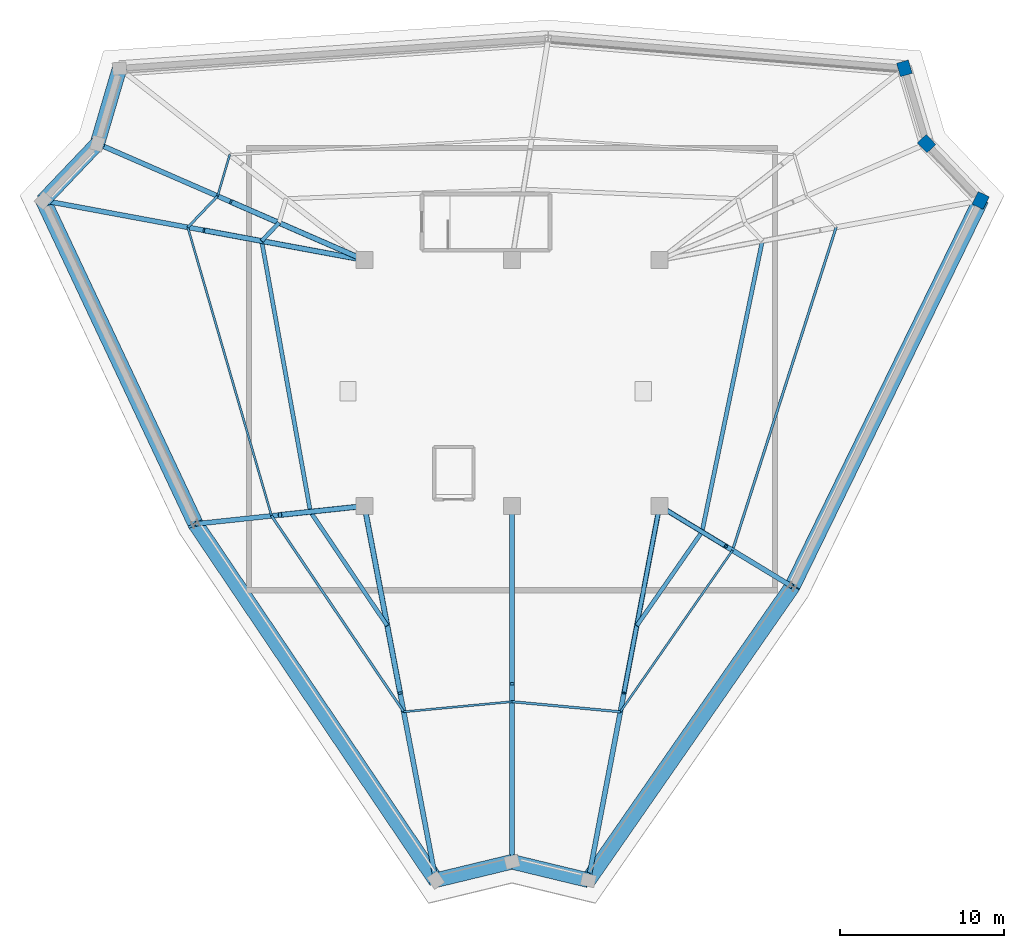
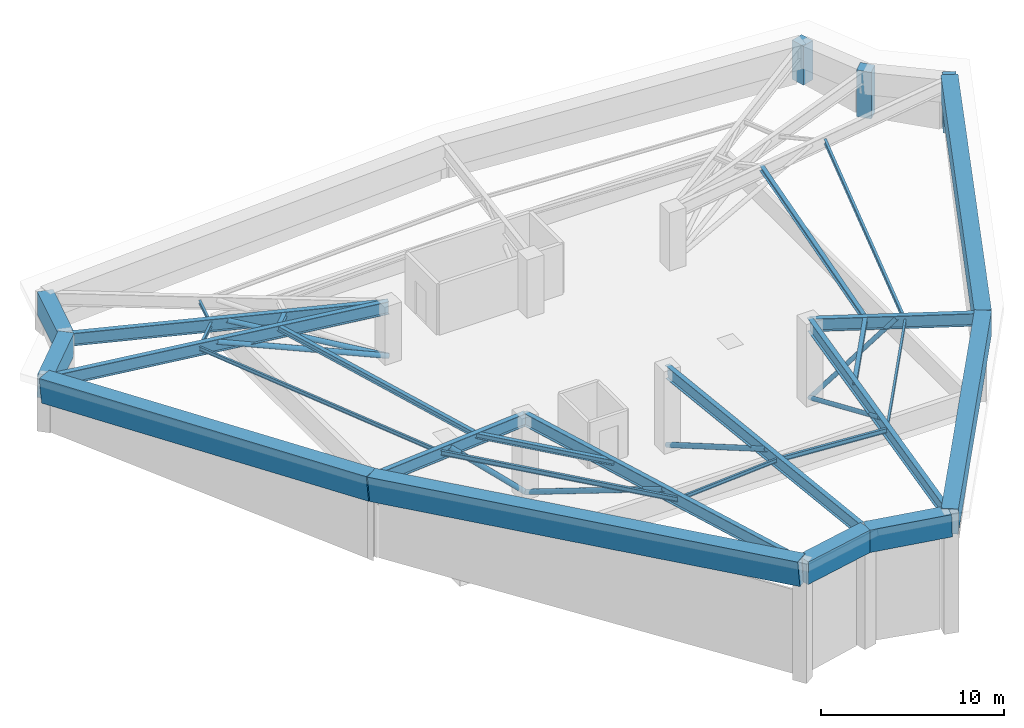
# One storey, part 3 of 6: 23 beams, 12 members, 3 columns.
"""IFC4 building model written with IfcOpenShell, lengths in metres."""

from ifc_helpers import new_model, si_unit, direction, frame, origin, origin_2d, place, context, subcontext, project, spatial, rectangle, hollow_circle, i_section, extrude, source, transform, mapped, material, material_profile, profile_set, type_object, element, save


model = new_model("IFC4")

# Units and contexts
model_context = context("Model", 3, precision=1e-05, world=origin(), true_north=direction((0.0, 1.0)))
body_context = subcontext(model_context, "Body", "Model", "MODEL_VIEW")
ifc_project = project(units=[si_unit("LENGTHUNIT", "METRE"), si_unit("AREAUNIT", "SQUARE_METRE"), si_unit("VOLUMEUNIT", "CUBIC_METRE"), si_unit("PLANEANGLEUNIT", "RADIAN"), si_unit("MASSUNIT", "GRAM", prefix="KILO")], contexts=[model_context])

# Site, building, storey
site_placement = place(None, origin())
site = spatial("IfcSite", under=ifc_project, at=site_placement, CompositionType="ELEMENT")
building_placement = place(site_placement, origin())
building = spatial("IfcBuilding", under=site, at=building_placement, Name="Liaohun Quay Tower", CompositionType="ELEMENT")
storey_placement = place(building_placement, frame((0.0, 0.0, 371.39990234375)))
storey = spatial("IfcBuildingStorey", under=building, at=storey_placement, Name="L95", CompositionType="ELEMENT", Elevation=371.39990234375)

# Columns
ifc_material_1 = material(Name="Concrete C50", Category="concrete")
ifc_material_profile_1 = material_profile(ifc_material_1, rectangle(XDim=0.85009765625, YDim=0.75, at=origin_2d()), Name="RC850x750")
ifc_profile_set_1 = profile_set([ifc_material_profile_1], Name="Concrete C50")
column_type = type_object("IfcColumnType", Name="COL-PIER-CR", PredefinedType="COLUMN", material=ifc_profile_set_1)
shared_shape_1 = source(origin(), body_context, "Body", "SweptSolid", [
    extrude(rectangle(XDim=0.85009765625, YDim=0.75, at=origin_2d()), origin(), (0.0, 0.0, 1.0), 3.11669921875),
])
column_1_placement = place(storey_placement, frame((85.2880859375, 68.60009765625, 0.0), z_axis=(0.0, 0.0, 1.0), x_axis=(-0.68936671806, 0.724412539946, 0.0)))
element("IfcColumn", 1, at=column_1_placement, inside=storey, type_object=column_type, Name="L95 Perimeter Pier PC08", PredefinedType="COLUMN", context=body_context, shape_type="MappedRepresentation", body=[
    mapped(shared_shape_1, transform((0.0, 0.0, 0.0), x_axis=(1.0, 0.0, 0.0), y_axis=(0.0, 1.0, 0.0), z_axis=(0.0, 0.0, 1.0), scale=1.0)),
])
shared_shape_2 = source(origin(), body_context, "Body", "SweptSolid", [
    extrude(rectangle(XDim=0.85009765625, YDim=0.75, at=origin_2d()), origin(), (0.0, 0.0, 1.0), 2.617431640625),
])
column_2_placement = place(storey_placement, frame((83.93408203125, 73.194091796875, 0.0), z_axis=(0.0, 0.0, 1.0), x_axis=(-0.282676303383, 0.959215360337, 0.0)))
element("IfcColumn", 2, at=column_2_placement, inside=storey, type_object=column_type, Name="L95 Perimeter Pier PC07", PredefinedType="COLUMN", context=body_context, shape_type="MappedRepresentation", body=[
    mapped(shared_shape_2, transform((0.0, 0.0, 0.0), x_axis=(1.0, 0.0, 0.0), y_axis=(0.0, 1.0, 0.0), z_axis=(0.0, 0.0, 1.0), scale=1.0)),
])
shared_shape_3 = source(origin(), body_context, "Body", "SweptSolid", [
    extrude(rectangle(XDim=0.85009765625, YDim=0.75, at=origin_2d()), origin(), (0.0, 0.0, 1.0), 3.49267578125),
])
column_3_placement = place(storey_placement, frame((88.5830078125, 65.136962890625, 0.0), z_axis=(0.0, 0.0, 1.0), x_axis=(0.438371146789, 0.898794046299, 0.0)))
element("IfcColumn", 3, at=column_3_placement, inside=storey, type_object=column_type, Name="L95 Perimeter Pier PC09", PredefinedType="COLUMN", context=body_context, shape_type="MappedRepresentation", body=[
    mapped(shared_shape_3, transform((0.0, 0.0, 0.0), x_axis=(1.0, 0.0, 0.0), y_axis=(0.0, 1.0, 0.0), z_axis=(0.0, 0.0, 1.0), scale=1.0)),
])

# Beams
ifc_material_2 = material(Name="Concrete C55", Category="concrete")
ifc_material_profile_2 = material_profile(ifc_material_2, rectangle(XDim=0.949951171875, YDim=1.60009765625, at=origin_2d()), Name="RC950x1600")
ifc_profile_set_2 = profile_set([ifc_material_profile_2], Name="Concrete C55")
beam_type_1 = type_object("IfcBeamType", Name="BM-CAN-LNG", PredefinedType="SPANDREL", material=ifc_profile_set_2)
shared_shape_4 = source(origin(), body_context, "Body", "SweptSolid", [
    extrude(rectangle(XDim=0.949951171875, YDim=1.60009765625, at=origin_2d()), origin(), (0.0, 0.0, 1.0), 26.3134765625),
])
beam_1_placement = place(storey_placement, frame((55.35400390625, 23.677978515625, 7.24609375), z_axis=(-0.556937779688, 0.825697115724, -0.089691597385), x_axis=(-0.829038483568, -0.559191552836, 0.0)))
element("IfcBeam", 4, at=beam_1_placement, inside=storey, type_object=beam_type_1, Name="L95 Sloped Canopy Ring Beam PC01-PC02", PredefinedType="SPANDREL", context=body_context, shape_type="MappedRepresentation", body=[
    mapped(shared_shape_4, transform((0.0, 0.0, 0.0), x_axis=(1.0, 0.0, 0.0), y_axis=(0.0, 1.0, 0.0), z_axis=(0.0, 0.0, 1.0), scale=1.0)),
])
shared_shape_5 = source(origin(), body_context, "Body", "SweptSolid", [
    extrude(rectangle(XDim=0.949951171875, YDim=1.60009765625, at=origin_2d()), origin(), (0.0, 0.0, 1.0), 21.908447265625),
])
beam_2_placement = place(storey_placement, frame((40.698974609375, 45.405029296875, 4.885986328125), z_axis=(-0.423950795315, 0.900388401846, -0.097808225488), x_axis=(-0.904726310414, -0.425993313614, 0.0)))
element("IfcBeam", 5, at=beam_2_placement, inside=storey, type_object=beam_type_1, Name="L95 Sloped Canopy Ring Beam PC02-PC03", PredefinedType="SPANDREL", context=body_context, shape_type="MappedRepresentation", body=[
    mapped(shared_shape_5, transform((0.0, 0.0, 0.0), x_axis=(1.0, 0.0, 0.0), y_axis=(0.0, 1.0, 0.0), z_axis=(0.0, 0.0, 1.0), scale=1.0)),
])
ifc_material_profile_3 = material_profile(ifc_material_2, rectangle(XDim=0.89990234375, YDim=1.5, at=origin_2d()), Name="RC900x1500")
ifc_profile_set_3 = profile_set([ifc_material_profile_3], Name="Concrete C55")
beam_type_2 = type_object("IfcBeamType", Name="BM-CAN-RING", PredefinedType="BEAM", material=ifc_profile_set_3)
shared_shape_6 = source(origin(), body_context, "Body", "SweptSolid", [
    extrude(rectangle(XDim=0.89990234375, YDim=1.5, at=origin_2d()), origin(), (0.0, 0.0, 1.0), 4.80322265625),
])
beam_3_placement = place(storey_placement, frame((31.410888671875, 65.131103515625, 2.7431640625), z_axis=(0.687235835807, 0.722205013755, -0.078274032035), x_axis=(-0.724427643771, 0.689350846043, 0.0)))
element("IfcBeam", 6, at=beam_3_placement, inside=storey, type_object=beam_type_2, Name="L95 Sloped Canopy Ring Beam PC03-PC04", PredefinedType="BEAM", context=body_context, shape_type="MappedRepresentation", body=[
    mapped(shared_shape_6, transform((0.0, 0.0, 0.0), x_axis=(1.0, 0.0, 0.0), y_axis=(0.0, 1.0, 0.0), z_axis=(0.0, 0.0, 1.0), scale=1.0)),
])
shared_shape_7 = source(origin(), body_context, "Body", "SweptSolid", [
    extrude(rectangle(XDim=0.89990234375, YDim=1.5, at=origin_2d()), origin(), (0.0, 0.0, 1.0), 4.805908203125),
])
beam_4_placement = place(storey_placement, frame((34.7119140625, 68.60009765625, 2.3671875), z_axis=(0.281130567414, 0.954035427545, -0.103836443765), x_axis=(-0.959220603733, 0.282658510174, 0.0)))
element("IfcBeam", 7, at=beam_4_placement, inside=storey, type_object=beam_type_2, Name="L95 Sloped Canopy Ring Beam PC04-PC05", PredefinedType="BEAM", context=body_context, shape_type="MappedRepresentation", body=[
    mapped(shared_shape_7, transform((0.0, 0.0, 0.0), x_axis=(1.0, 0.0, 0.0), y_axis=(0.0, 1.0, 0.0), z_axis=(0.0, 0.0, 1.0), scale=1.0)),
])
shared_shape_8 = source(origin(), body_context, "Body", "SweptSolid", [
    extrude(rectangle(XDim=0.949951171875, YDim=1.60009765625, at=origin_2d()), origin(), (0.0, 0.0, 1.0), 26.331787109375),
])
beam_5_placement = place(storey_placement, frame((88.5830078125, 65.136962890625, 2.7431640625), z_axis=(-0.436281940186, -0.89454718672, 0.097177154715), x_axis=(0.898801122435, -0.438356638262, 0.0)))
element("IfcBeam", 8, at=beam_5_placement, inside=storey, type_object=beam_type_1, Name="L95 Sloped Canopy Ring Beam PC09-PC10", PredefinedType="SPANDREL", context=body_context, shape_type="MappedRepresentation", body=[
    mapped(shared_shape_8, transform((0.0, 0.0, 0.0), x_axis=(1.0, 0.0, 0.0), y_axis=(0.0, 1.0, 0.0), z_axis=(0.0, 0.0, 1.0), scale=1.0)),
])
shared_shape_9 = source(origin(), body_context, "Body", "SweptSolid", [
    extrude(rectangle(XDim=0.949951171875, YDim=1.60009765625, at=origin_2d()), origin(), (0.0, 0.0, 1.0), 21.8896484375),
])
beam_6_placement = place(storey_placement, frame((77.094970703125, 41.58203125, 5.302001953125), z_axis=(-0.568300240197, -0.818009273399, 0.088857558065), x_axis=(0.821257887435, -0.570557168324, 0.0)))
element("IfcBeam", 9, at=beam_6_placement, inside=storey, type_object=beam_type_1, Name="L95 Sloped Canopy Ring Beam PC10-PC11", PredefinedType="SPANDREL", context=body_context, shape_type="MappedRepresentation", body=[
    mapped(shared_shape_9, transform((0.0, 0.0, 0.0), x_axis=(1.0, 0.0, 0.0), y_axis=(0.0, 1.0, 0.0), z_axis=(0.0, 0.0, 1.0), scale=1.0)),
])
shared_shape_10 = source(origin(), body_context, "Body", "SweptSolid", [
    extrude(rectangle(XDim=0.89990234375, YDim=1.5, at=origin_2d()), origin(), (0.0, 0.0, 1.0), 4.7900390625),
])
beam_7_placement = place(storey_placement, frame((64.655029296875, 23.676025390625, 7.2470703125), z_axis=(-0.971794166855, 0.234449738686, -0.025483667249), x_axis=(-0.234525903643, -0.972109870601, 0.0)))
element("IfcBeam", 10, at=beam_7_placement, inside=storey, type_object=beam_type_2, Name="L95 Sloped Canopy Ring Beam PC11-PC12", PredefinedType="BEAM", context=body_context, shape_type="MappedRepresentation", body=[
    mapped(shared_shape_10, transform((0.0, 0.0, 0.0), x_axis=(1.0, 0.0, 0.0), y_axis=(0.0, 1.0, 0.0), z_axis=(0.0, 0.0, 1.0), scale=1.0)),
])
shared_shape_11 = source(origin(), body_context, "Body", "SweptSolid", [
    extrude(rectangle(XDim=0.89990234375, YDim=1.5, at=origin_2d()), origin(), (0.0, 0.0, 1.0), 4.78076171875),
])
beam_8_placement = place(storey_placement, frame((60.0, 24.799072265625, 7.125), z_axis=(-0.971787207084, -0.234495368099, 0.025328767983), x_axis=(0.234570624151, -0.972099080488, 0.0)))
element("IfcBeam", 11, at=beam_8_placement, inside=storey, type_object=beam_type_2, Name="L95 Sloped Canopy Ring Beam PC12-PC01", PredefinedType="BEAM", context=body_context, shape_type="MappedRepresentation", body=[
    mapped(shared_shape_11, transform((0.0, 0.0, 0.0), x_axis=(1.0, 0.0, 0.0), y_axis=(0.0, 1.0, 0.0), z_axis=(0.0, 0.0, 1.0), scale=1.0)),
])
ifc_material_3 = material(Name="Steel Q355D", Category="steel")
ifc_material_profile_4 = material_profile(ifc_material_3, i_section(OverallWidth=0.300048828125, OverallDepth=0.85009765625, WebThickness=0.01611328125, FlangeThickness=0.028076171875, at=origin_2d()), Name="HN850x300x16x28")
ifc_profile_set_4 = profile_set([ifc_material_profile_4], Name="Steel Q355D")
beam_type_3 = type_object("IfcBeamType", Name="BM-RAD-H2", PredefinedType="BEAM", material=ifc_profile_set_4)
shared_shape_12 = source(origin(), body_context, "Body", "SweptSolid", [
    extrude(i_section(OverallWidth=0.300048828125, OverallDepth=0.85009765625, WebThickness=0.01611328125, FlangeThickness=0.028076171875, at=origin_2d()), origin(), (0.0, 0.0, 1.0), 21.82861328125),
])
beam_9_placement = place(storey_placement, frame((60.0, 46.5, 5.072021484375), z_axis=(0.0, -0.994147623112, 0.108030104421), x_axis=(1.0, 0.0, 0.0)))
element("IfcBeam", 12, at=beam_9_placement, inside=storey, type_object=beam_type_3, Name="L95 Canopy Radial Girder CC2-PC12", PredefinedType="BEAM", context=body_context, shape_type="MappedRepresentation", body=[
    mapped(shared_shape_12, transform((0.0, 0.0, 0.0), x_axis=(1.0, 0.0, 0.0), y_axis=(0.0, 1.0, 0.0), z_axis=(0.0, 0.0, 1.0), scale=1.0)),
])

# Member
ifc_material_profile_5 = material_profile(ifc_material_3, hollow_circle(Radius=0.16259765625, WallThickness=0.013916015625, at=origin_2d()), Name="CHS325x14")
ifc_profile_set_5 = profile_set([ifc_material_profile_5], Name="Steel Q355D")
member_type_1 = type_object("IfcMemberType", Name="MEM-CAN-STR", PredefinedType="STRUT", material=ifc_profile_set_5)
shared_shape_13 = source(origin(), body_context, "Body", "SweptSolid", [
    extrude(hollow_circle(Radius=0.16259765625, WallThickness=0.013916015625, at=origin_2d()), origin(), (0.0, 0.0, 1.0), 12.54443359375),
])
member_1_placement = place(storey_placement, frame((60.0, 46.5, 0.150146484375), z_axis=(0.0, -0.864932854591, 0.501887594037), x_axis=(1.0, 0.0, 0.0)))
element("IfcMember", 13, at=member_1_placement, inside=storey, type_object=member_type_1, Name="L95 Canopy Inclined Strut 01", PredefinedType="STRUT", context=body_context, shape_type="MappedRepresentation", body=[
    mapped(shared_shape_13, transform((0.0, 0.0, 0.0), x_axis=(1.0, 0.0, 0.0), y_axis=(0.0, 1.0, 0.0), z_axis=(0.0, 0.0, 1.0), scale=1.0)),
])

# Beam
shared_shape_14 = source(origin(), body_context, "Body", "SweptSolid", [
    extrude(i_section(OverallWidth=0.300048828125, OverallDepth=0.85009765625, WebThickness=0.01611328125, FlangeThickness=0.028076171875, at=origin_2d()), origin(), (0.0, 0.0, 1.0), 23.365478515625),
])
beam_10_placement = place(storey_placement, frame((51.0, 46.5, 5.072021484375), z_axis=(0.186343128895, -0.976739337554, 0.106096676617), x_axis=(0.982283523339, 0.187400853189, 0.0)))
element("IfcBeam", 14, at=beam_10_placement, inside=storey, type_object=beam_type_3, Name="L95 Canopy Radial Girder CC1-PC01", PredefinedType="BEAM", context=body_context, shape_type="MappedRepresentation", body=[
    mapped(shared_shape_14, transform((0.0, 0.0, 0.0), x_axis=(1.0, 0.0, 0.0), y_axis=(0.0, 1.0, 0.0), z_axis=(0.0, 0.0, 1.0), scale=1.0)),
])

# Member
shared_shape_15 = source(origin(), body_context, "Body", "SweptSolid", [
    extrude(hollow_circle(Radius=0.16259765625, WallThickness=0.013916015625, at=origin_2d()), origin(), (0.0, 0.0, 1.0), 13.2421875),
])
member_2_placement = place(storey_placement, frame((51.0, 46.5, 0.150146484375), z_axis=(0.164397658456, -0.861700365436, 0.480047799808), x_axis=(0.9822831543, 0.187402787541, 0.0)))
element("IfcMember", 15, at=member_2_placement, inside=storey, type_object=member_type_1, Name="L95 Canopy Inclined Strut 02", PredefinedType="STRUT", context=body_context, shape_type="MappedRepresentation", body=[
    mapped(shared_shape_15, transform((0.0, 0.0, 0.0), x_axis=(1.0, 0.0, 0.0), y_axis=(0.0, 1.0, 0.0), z_axis=(0.0, 0.0, 1.0), scale=1.0)),
])

# Beam
shared_shape_16 = source(origin(), body_context, "Body", "SweptSolid", [
    extrude(i_section(OverallWidth=0.300048828125, OverallDepth=0.85009765625, WebThickness=0.01611328125, FlangeThickness=0.028076171875, at=origin_2d()), origin(), (0.0, 0.0, 1.0), 10.35986328125),
])
beam_11_placement = place(storey_placement, frame((51.0, 46.5, 5.072021484375), z_axis=(-0.994332116096, -0.105694772609, 0.011500345381), x_axis=(0.105701762789, -0.994397876779, 0.0)))
element("IfcBeam", 16, at=beam_11_placement, inside=storey, type_object=beam_type_3, Name="L95 Canopy Radial Girder CC1-PC02", PredefinedType="BEAM", context=body_context, shape_type="MappedRepresentation", body=[
    mapped(shared_shape_16, transform((0.0, 0.0, 0.0), x_axis=(1.0, 0.0, 0.0), y_axis=(0.0, 1.0, 0.0), z_axis=(0.0, 0.0, 1.0), scale=1.0)),
])

# Member
shared_shape_17 = source(origin(), body_context, "Body", "SweptSolid", [
    extrude(hollow_circle(Radius=0.16259765625, WallThickness=0.013916015625, at=origin_2d()), origin(), (0.0, 0.0, 1.0), 7.323486328125),
])
member_3_placement = place(storey_placement, frame((51.0, 46.5, 0.150146484375), z_axis=(-0.703344933775, -0.074708313423, 0.706911997379), x_axis=(0.10562442215, -0.994406094835, 0.0)))
element("IfcMember", 17, at=member_3_placement, inside=storey, type_object=member_type_1, Name="L95 Canopy Inclined Strut 03", PredefinedType="STRUT", context=body_context, shape_type="MappedRepresentation", body=[
    mapped(shared_shape_17, transform((0.0, 0.0, 0.0), x_axis=(1.0, 0.0, 0.0), y_axis=(0.0, 1.0, 0.0), z_axis=(0.0, 0.0, 1.0), scale=1.0)),
])

# Beam
shared_shape_18 = source(origin(), body_context, "Body", "SweptSolid", [
    extrude(i_section(OverallWidth=0.300048828125, OverallDepth=0.85009765625, WebThickness=0.01611328125, FlangeThickness=0.028076171875, at=origin_2d()), origin(), (0.0, 0.0, 1.0), 19.9267578125),
])
beam_12_placement = place(storey_placement, frame((51.0, 61.5, 3.443115234375), z_axis=(-0.983057407546, 0.182222825161, -0.019823608627), x_axis=(-0.182258640266, -0.983250623213, 0.0)))
element("IfcBeam", 18, at=beam_12_placement, inside=storey, type_object=beam_type_3, Name="L95 Canopy Radial Girder CC6-PC03", PredefinedType="BEAM", context=body_context, shape_type="MappedRepresentation", body=[
    mapped(shared_shape_18, transform((0.0, 0.0, 0.0), x_axis=(1.0, 0.0, 0.0), y_axis=(0.0, 1.0, 0.0), z_axis=(0.0, 0.0, 1.0), scale=1.0)),
])

# Member
shared_shape_19 = source(origin(), body_context, "Body", "SweptSolid", [
    extrude(hollow_circle(Radius=0.16259765625, WallThickness=0.013916015625, at=origin_2d()), origin(), (0.0, 0.0, 1.0), 10.490478515625),
])
member_4_placement = place(storey_placement, frame((51.0, 61.5, 0.150146484375), z_axis=(-0.933605131175, 0.173101878694, 0.313715155256), x_axis=(-0.182305164583, -0.983241998171, 0.0)))
element("IfcMember", 19, at=member_4_placement, inside=storey, type_object=member_type_1, Name="L95 Canopy Inclined Strut 04", PredefinedType="STRUT", context=body_context, shape_type="MappedRepresentation", body=[
    mapped(shared_shape_19, transform((0.0, 0.0, 0.0), x_axis=(1.0, 0.0, 0.0), y_axis=(0.0, 1.0, 0.0), z_axis=(0.0, 0.0, 1.0), scale=1.0)),
])

# Beam
shared_shape_20 = source(origin(), body_context, "Body", "SweptSolid", [
    extrude(i_section(OverallWidth=0.300048828125, OverallDepth=0.85009765625, WebThickness=0.01611328125, FlangeThickness=0.028076171875, at=origin_2d()), origin(), (0.0, 0.0, 1.0), 17.78515625),
])
beam_13_placement = place(storey_placement, frame((51.0, 61.5, 3.443115234375), z_axis=(-0.9158308367, 0.39921746497, -0.043350827122), x_axis=(-0.39959311806, -0.916692609329, 0.0)))
element("IfcBeam", 20, at=beam_13_placement, inside=storey, type_object=beam_type_3, Name="L95 Canopy Radial Girder CC6-PC04", PredefinedType="BEAM", context=body_context, shape_type="MappedRepresentation", body=[
    mapped(shared_shape_20, transform((0.0, 0.0, 0.0), x_axis=(1.0, 0.0, 0.0), y_axis=(0.0, 1.0, 0.0), z_axis=(0.0, 0.0, 1.0), scale=1.0)),
])

# Member
shared_shape_21 = source(origin(), body_context, "Body", "SweptSolid", [
    extrude(hollow_circle(Radius=0.16259765625, WallThickness=0.013916015625, at=origin_2d()), origin(), (0.0, 0.0, 1.0), 9.41015625),
])
member_5_placement = place(storey_placement, frame((51.0, 61.5, 0.150146484375), z_axis=(-0.865452660688, 0.377257243812, 0.329649304716), x_axis=(-0.39959311806, -0.916692609329, 0.0)))
element("IfcMember", 21, at=member_5_placement, inside=storey, type_object=member_type_1, Name="L95 Canopy Inclined Strut 05", PredefinedType="STRUT", context=body_context, shape_type="MappedRepresentation", body=[
    mapped(shared_shape_21, transform((0.0, 0.0, 0.0), x_axis=(1.0, 0.0, 0.0), y_axis=(0.0, 1.0, 0.0), z_axis=(0.0, 0.0, 1.0), scale=1.0)),
])

# Beam
shared_shape_22 = source(origin(), body_context, "Body", "SweptSolid", [
    extrude(i_section(OverallWidth=0.300048828125, OverallDepth=0.85009765625, WebThickness=0.01611328125, FlangeThickness=0.028076171875, at=origin_2d()), origin(), (0.0, 0.0, 1.0), 9.48681640625),
])
beam_14_placement = place(storey_placement, frame((69.0, 46.5, 5.072021484375), z_axis=(0.853278389103, -0.518395508342, 0.056409995745), x_axis=(0.519222271956, 0.854639241028, 0.0)))
element("IfcBeam", 22, at=beam_14_placement, inside=storey, type_object=beam_type_3, Name="L95 Canopy Radial Girder CC3-PC10", PredefinedType="BEAM", context=body_context, shape_type="MappedRepresentation", body=[
    mapped(shared_shape_22, transform((0.0, 0.0, 0.0), x_axis=(1.0, 0.0, 0.0), y_axis=(0.0, 1.0, 0.0), z_axis=(0.0, 0.0, 1.0), scale=1.0)),
])

# Member
ifc_material_profile_6 = material_profile(ifc_material_3, hollow_circle(Radius=0.136474609375, WallThickness=0.011962890625, at=origin_2d()), Name="CHS273x12")
ifc_profile_set_6 = profile_set([ifc_material_profile_6], Name="Steel Q355D")
member_type_2 = type_object("IfcMemberType", Name="MEM-CAN-BRC", PredefinedType="BRACE", material=ifc_profile_set_6)
shared_shape_23 = source(origin(), body_context, "Body", "SweptSolid", [
    extrude(hollow_circle(Radius=0.136474609375, WallThickness=0.011962890625, at=origin_2d()), origin(), (0.0, 0.0, 1.0), 7.17041015625),
])
member_6_placement = place(storey_placement, frame((69.0, 46.5, 0.150146484375), z_axis=(0.56442601183, -0.342938938961, 0.750876928207), x_axis=(0.519256587304, 0.854618392349, 0.0)))
element("IfcMember", 23, at=member_6_placement, inside=storey, type_object=member_type_2, Name="L95 Canopy Inclined Strut 11", PredefinedType="BRACE", context=body_context, shape_type="MappedRepresentation", body=[
    mapped(shared_shape_23, transform((0.0, 0.0, 0.0), x_axis=(1.0, 0.0, 0.0), y_axis=(0.0, 1.0, 0.0), z_axis=(0.0, 0.0, 1.0), scale=1.0)),
])

# Beam
shared_shape_24 = source(origin(), body_context, "Body", "SweptSolid", [
    extrude(i_section(OverallWidth=0.300048828125, OverallDepth=0.85009765625, WebThickness=0.01611328125, FlangeThickness=0.028076171875, at=origin_2d()), origin(), (0.0, 0.0, 1.0), 23.365966796875),
])
beam_15_placement = place(storey_placement, frame((69.0, 46.5, 5.072021484375), z_axis=(-0.185953899594, -0.976809137009, 0.106136973202), x_axis=(0.982357967531, -0.187010223327, 0.0)))
element("IfcBeam", 24, at=beam_15_placement, inside=storey, type_object=beam_type_3, Name="L95 Canopy Radial Girder CC3-PC11", PredefinedType="BEAM", context=body_context, shape_type="MappedRepresentation", body=[
    mapped(shared_shape_24, transform((0.0, 0.0, 0.0), x_axis=(1.0, 0.0, 0.0), y_axis=(0.0, 1.0, 0.0), z_axis=(0.0, 0.0, 1.0), scale=1.0)),
])

# Member
shared_shape_25 = source(origin(), body_context, "Body", "SweptSolid", [
    extrude(hollow_circle(Radius=0.136474609375, WallThickness=0.011962890625, at=origin_2d()), origin(), (0.0, 0.0, 1.0), 13.242431640625),
])
member_7_placement = place(storey_placement, frame((69.0, 46.5, 0.150146484375), z_axis=(-0.16402583182, -0.861776270944, 0.48003873316), x_axis=(0.982364125749, -0.18697787153, 0.0)))
element("IfcMember", 25, at=member_7_placement, inside=storey, type_object=member_type_2, Name="L95 Canopy Inclined Strut 12", PredefinedType="BRACE", context=body_context, shape_type="MappedRepresentation", body=[
    mapped(shared_shape_25, transform((0.0, 0.0, 0.0), x_axis=(1.0, 0.0, 0.0), y_axis=(0.0, 1.0, 0.0), z_axis=(0.0, 0.0, 1.0), scale=1.0)),
])

# Beam
ifc_material_profile_7 = material_profile(ifc_material_3, i_section(OverallWidth=0.14990234375, OverallDepth=0.300048828125, WebThickness=0.006591796875, FlangeThickness=0.009033203125, at=origin_2d()), Name="HN300x150x6.5x9")
ifc_profile_set_7 = profile_set([ifc_material_profile_7], Name="Steel Q355D")
beam_type_4 = type_object("IfcBeamType", Name="BM-CAN-P1", PredefinedType="USERDEFINED", material=ifc_profile_set_7)
shared_shape_26 = source(origin(), body_context, "Body", "SweptSolid", [
    extrude(i_section(OverallWidth=0.14990234375, OverallDepth=0.300048828125, WebThickness=0.006591796875, FlangeThickness=0.009033203125, at=origin_2d()), origin(), (0.0, 0.0, 1.0), 14.472900390625),
])
beam_16_placement = place(storey_placement, frame((53.39501953125, 33.947998046875, 6.43603515625), z_axis=(-0.556972822893, 0.825675351691, -0.0896743451), x_axis=(-0.829015338378, -0.55922586558, 0.0)))
element("IfcBeam", 26, at=beam_16_placement, inside=storey, type_object=beam_type_4, Name="L95 Canopy Steel Purlin 01", ObjectType="PURLIN", PredefinedType="USERDEFINED", context=body_context, shape_type="MappedRepresentation", body=[
    mapped(shared_shape_26, transform((0.0, 0.0, 0.0), x_axis=(1.0, 0.0, 0.0), y_axis=(0.0, 1.0, 0.0), z_axis=(0.0, 0.0, 1.0), scale=1.0)),
])

# Member
ifc_material_profile_8 = material_profile(ifc_material_3, i_section(OverallWidth=0.25, OverallDepth=0.340087890625, WebThickness=0.009033203125, FlangeThickness=0.013916015625, at=origin_2d()), Name="HM340x250x9x14")
ifc_profile_set_8 = profile_set([ifc_material_profile_8], Name="Steel Q355D")
member_type_3 = type_object("IfcMemberType", Name="MEM-RAF-TIE", PredefinedType="RAFTER", material=ifc_profile_set_8)
shared_shape_27 = source(origin(), body_context, "Body", "SweptSolid", [
    extrude(i_section(OverallWidth=0.25, OverallDepth=0.340087890625, WebThickness=0.009033203125, FlangeThickness=0.013916015625, at=origin_2d()), origin(), (0.0, 0.0, 1.0), 8.420166015625),
])
member_8_placement = place(storey_placement, frame((52.39306640625, 39.197021484375, 6.091064453125), z_axis=(-0.556868999104, 0.825735302795, -0.089767073895), x_axis=(-0.829082485652, -0.559126311297, 0.0)))
element("IfcMember", 27, at=member_8_placement, inside=storey, type_object=member_type_3, Name="L95 Canopy Steel Rafter Tie RT-1-01", PredefinedType="RAFTER", context=body_context, shape_type="MappedRepresentation", body=[
    mapped(shared_shape_27, transform((0.0, 0.0, 0.0), x_axis=(1.0, 0.0, 0.0), y_axis=(0.0, 1.0, 0.0), z_axis=(0.0, 0.0, 1.0), scale=1.0)),
])

# Beam
ifc_material_profile_9 = material_profile(ifc_material_3, i_section(OverallWidth=0.125, OverallDepth=0.25, WebThickness=0.006103515625, FlangeThickness=0.009033203125, at=origin_2d()), Name="HN250x125x6x9")
ifc_profile_set_9 = profile_set([ifc_material_profile_9], Name="Steel Q355D")
beam_type_5 = type_object("IfcBeamType", Name="BM-CAN-P2", PredefinedType="USERDEFINED", material=ifc_profile_set_9)
shared_shape_28 = source(origin(), body_context, "Body", "SweptSolid", [
    extrude(i_section(OverallWidth=0.125, OverallDepth=0.25, WebThickness=0.006103515625, FlangeThickness=0.009033203125, at=origin_2d()), origin(), (0.0, 0.0, 1.0), 18.4248046875),
])
beam_17_placement = place(storey_placement, frame((45.333984375, 45.89794921875, 5.13818359375), z_axis=(-0.277229045535, 0.955182725189, -0.103778696331), x_axis=(-0.960368317157, -0.278734094437, 0.0)))
element("IfcBeam", 28, at=beam_17_placement, inside=storey, type_object=beam_type_5, Name="L95 Canopy Steel Purlin 02", ObjectType="PURLIN", PredefinedType="USERDEFINED", context=body_context, shape_type="MappedRepresentation", body=[
    mapped(shared_shape_28, transform((0.0, 0.0, 0.0), x_axis=(1.0, 0.0, 0.0), y_axis=(0.0, 1.0, 0.0), z_axis=(0.0, 0.0, 1.0), scale=1.0)),
])

# Member
shared_shape_29 = source(origin(), body_context, "Body", "SweptSolid", [
    extrude(i_section(OverallWidth=0.25, OverallDepth=0.340087890625, WebThickness=0.009033203125, FlangeThickness=0.013916015625, at=origin_2d()), origin(), (0.0, 0.0, 1.0), 16.873291015625),
])
member_9_placement = place(storey_placement, frame((47.7041015625, 46.14990234375, 5.335205078125), z_axis=(-0.176146951595, 0.9786038216, -0.106333493286), x_axis=(-0.984183628423, -0.177151306923, 0.0)))
element("IfcMember", 29, at=member_9_placement, inside=storey, type_object=member_type_3, Name="L95 Canopy Steel Rafter Tie RT-1-02", PredefinedType="RAFTER", context=body_context, shape_type="MappedRepresentation", body=[
    mapped(shared_shape_29, transform((0.0, 0.0, 0.0), x_axis=(1.0, 0.0, 0.0), y_axis=(0.0, 1.0, 0.0), z_axis=(0.0, 0.0, 1.0), scale=1.0)),
])

# Beam
shared_shape_30 = source(origin(), body_context, "Body", "SweptSolid", [
    extrude(i_section(OverallWidth=0.14990234375, OverallDepth=0.300048828125, WebThickness=0.006591796875, FlangeThickness=0.009033203125, at=origin_2d()), origin(), (0.0, 0.0, 1.0), 2.64208984375),
])
beam_18_placement = place(storey_placement, frame((40.22607421875, 63.4970703125, 3.22607421875), z_axis=(0.68729927161, 0.722135494438, -0.07835840042), x_axis=(-0.724362726189, 0.689419060447, 0.0)))
element("IfcBeam", 30, at=beam_18_placement, inside=storey, type_object=beam_type_4, Name="L95 Canopy Steel Purlin 03", ObjectType="PURLIN", PredefinedType="USERDEFINED", context=body_context, shape_type="MappedRepresentation", body=[
    mapped(shared_shape_30, transform((0.0, 0.0, 0.0), x_axis=(1.0, 0.0, 0.0), y_axis=(0.0, 1.0, 0.0), z_axis=(0.0, 0.0, 1.0), scale=1.0)),
])

# Member
shared_shape_31 = source(origin(), body_context, "Body", "SweptSolid", [
    extrude(i_section(OverallWidth=0.25, OverallDepth=0.340087890625, WebThickness=0.009033203125, FlangeThickness=0.013916015625, at=origin_2d()), origin(), (0.0, 0.0, 1.0), 1.536865234375),
])
member_10_placement = place(storey_placement, frame((44.73193359375, 62.662109375, 3.541015625), z_axis=(0.68726021954, 0.722211039766, -0.07800387605), x_axis=(-0.724418301963, 0.689360663065, 0.0)))
element("IfcMember", 31, at=member_10_placement, inside=storey, type_object=member_type_3, Name="L95 Canopy Steel Rafter Tie RT-1-03", PredefinedType="RAFTER", context=body_context, shape_type="MappedRepresentation", body=[
    mapped(shared_shape_31, transform((0.0, 0.0, 0.0), x_axis=(1.0, 0.0, 0.0), y_axis=(0.0, 1.0, 0.0), z_axis=(0.0, 0.0, 1.0), scale=1.0)),
])

# Beams
shared_shape_32 = source(origin(), body_context, "Body", "SweptSolid", [
    extrude(i_section(OverallWidth=0.125, OverallDepth=0.25, WebThickness=0.006103515625, FlangeThickness=0.009033203125, at=origin_2d()), origin(), (0.0, 0.0, 1.0), 2.643310546875),
])
beam_19_placement = place(storey_placement, frame((42.0419921875, 65.405029296875, 3.01904296875), z_axis=(0.281052177457, 0.95408116764, -0.103628177163), x_axis=(-0.959245643257, 0.282573522985, 0.0)))
element("IfcBeam", 32, at=beam_19_placement, inside=storey, type_object=beam_type_5, Name="L95 Canopy Steel Purlin 04", ObjectType="PURLIN", PredefinedType="USERDEFINED", context=body_context, shape_type="MappedRepresentation", body=[
    mapped(shared_shape_32, transform((0.0, 0.0, 0.0), x_axis=(1.0, 0.0, 0.0), y_axis=(0.0, 1.0, 0.0), z_axis=(0.0, 0.0, 1.0), scale=1.0)),
])
shared_shape_33 = source(origin(), body_context, "Body", "SweptSolid", [
    extrude(i_section(OverallWidth=0.14990234375, OverallDepth=0.300048828125, WebThickness=0.006591796875, FlangeThickness=0.009033203125, at=origin_2d()), origin(), (0.0, 0.0, 1.0), 20.803955078125),
])
beam_20_placement = place(storey_placement, frame((79.77099609375, 63.5, 3.22509765625), z_axis=(-0.303744437539, -0.947178497185, 0.102918468385), x_axis=(0.952235060282, -0.305365993474, 0.0)))
element("IfcBeam", 33, at=beam_20_placement, inside=storey, type_object=beam_type_4, Name="L95 Canopy Steel Purlin 09", ObjectType="PURLIN", PredefinedType="USERDEFINED", context=body_context, shape_type="MappedRepresentation", body=[
    mapped(shared_shape_33, transform((0.0, 0.0, 0.0), x_axis=(1.0, 0.0, 0.0), y_axis=(0.0, 1.0, 0.0), z_axis=(0.0, 0.0, 1.0), scale=1.0)),
])

# Member
shared_shape_34 = source(origin(), body_context, "Body", "SweptSolid", [
    extrude(i_section(OverallWidth=0.25, OverallDepth=0.340087890625, WebThickness=0.009033203125, FlangeThickness=0.013916015625, at=origin_2d()), origin(), (0.0, 0.0, 1.0), 18.21728515625),
])
member_11_placement = place(storey_placement, frame((75.26708984375, 62.6640625, 3.541015625), z_axis=(-0.201840721324, -0.973689503209, 0.105778421978), x_axis=(0.979182988925, -0.202979492068, 0.0)))
element("IfcMember", 34, at=member_11_placement, inside=storey, type_object=member_type_3, Name="L95 Canopy Steel Rafter Tie RT-1-09", PredefinedType="RAFTER", context=body_context, shape_type="MappedRepresentation", body=[
    mapped(shared_shape_34, transform((0.0, 0.0, 0.0), x_axis=(1.0, 0.0, 0.0), y_axis=(0.0, 1.0, 0.0), z_axis=(0.0, 0.0, 1.0), scale=1.0)),
])

# Beam
shared_shape_35 = source(origin(), body_context, "Body", "SweptSolid", [
    extrude(i_section(OverallWidth=0.125, OverallDepth=0.25, WebThickness=0.006103515625, FlangeThickness=0.009033203125, at=origin_2d()), origin(), (0.0, 0.0, 1.0), 12.038818359375),
])
beam_21_placement = place(storey_placement, frame((73.451904296875, 43.794921875, 5.3662109375), z_axis=(-0.568306030802, -0.818004580518, 0.088863724913), x_axis=(0.821253629538, -0.570563297076, 0.0)))
element("IfcBeam", 35, at=beam_21_placement, inside=storey, type_object=beam_type_5, Name="L95 Canopy Steel Purlin 10", ObjectType="PURLIN", PredefinedType="USERDEFINED", context=body_context, shape_type="MappedRepresentation", body=[
    mapped(shared_shape_35, transform((0.0, 0.0, 0.0), x_axis=(1.0, 0.0, 0.0), y_axis=(0.0, 1.0, 0.0), z_axis=(0.0, 0.0, 1.0), scale=1.0)),
])

# Member
shared_shape_36 = source(origin(), body_context, "Body", "SweptSolid", [
    extrude(i_section(OverallWidth=0.25, OverallDepth=0.340087890625, WebThickness=0.009033203125, FlangeThickness=0.013916015625, at=origin_2d()), origin(), (0.0, 0.0, 1.0), 7.00439453125),
])
member_12_placement = place(storey_placement, frame((71.590087890625, 44.926025390625, 5.468017578125), z_axis=(-0.568214437446, -0.81805869506, 0.088951247967), x_axis=(0.821314400934, -0.570475814403, 0.0)))
element("IfcMember", 36, at=member_12_placement, inside=storey, type_object=member_type_3, Name="L95 Canopy Steel Rafter Tie RT-1-10", PredefinedType="RAFTER", context=body_context, shape_type="MappedRepresentation", body=[
    mapped(shared_shape_36, transform((0.0, 0.0, 0.0), x_axis=(1.0, 0.0, 0.0), y_axis=(0.0, 1.0, 0.0), z_axis=(0.0, 0.0, 1.0), scale=1.0)),
])

# Beams
shared_shape_37 = source(origin(), body_context, "Body", "SweptSolid", [
    extrude(i_section(OverallWidth=0.14990234375, OverallDepth=0.300048828125, WebThickness=0.006591796875, FlangeThickness=0.009033203125, at=origin_2d()), origin(), (0.0, 0.0, 1.0), 6.63916015625),
])
beam_22_placement = place(storey_placement, frame((66.610107421875, 33.947021484375, 6.43603515625), z_axis=(-0.995622153906, 0.092924734365, -0.01007573297), x_axis=(-0.092929451602, -0.995672695731, 0.0)))
element("IfcBeam", 37, at=beam_22_placement, inside=storey, type_object=beam_type_4, Name="L95 Canopy Steel Purlin 11", ObjectType="PURLIN", PredefinedType="USERDEFINED", context=body_context, shape_type="MappedRepresentation", body=[
    mapped(shared_shape_37, transform((0.0, 0.0, 0.0), x_axis=(1.0, 0.0, 0.0), y_axis=(0.0, 1.0, 0.0), z_axis=(0.0, 0.0, 1.0), scale=1.0)),
])
shared_shape_38 = source(origin(), body_context, "Body", "SweptSolid", [
    extrude(i_section(OverallWidth=0.125, OverallDepth=0.25, WebThickness=0.006103515625, FlangeThickness=0.009033203125, at=origin_2d()), origin(), (0.0, 0.0, 1.0), 6.634033203125),
])
beam_23_placement = place(storey_placement, frame((60.0, 34.56396484375, 6.369140625), z_axis=(-0.995629018432, -0.0928502999, 0.010083623533), x_axis=(0.092855020745, -0.995679639805, 0.0)))
element("IfcBeam", 38, at=beam_23_placement, inside=storey, type_object=beam_type_5, Name="L95 Canopy Steel Purlin 12", ObjectType="PURLIN", PredefinedType="USERDEFINED", context=body_context, shape_type="MappedRepresentation", body=[
    mapped(shared_shape_38, transform((0.0, 0.0, 0.0), x_axis=(1.0, 0.0, 0.0), y_axis=(0.0, 1.0, 0.0), z_axis=(0.0, 0.0, 1.0), scale=1.0)),
])

save(model, "model.ifc")
